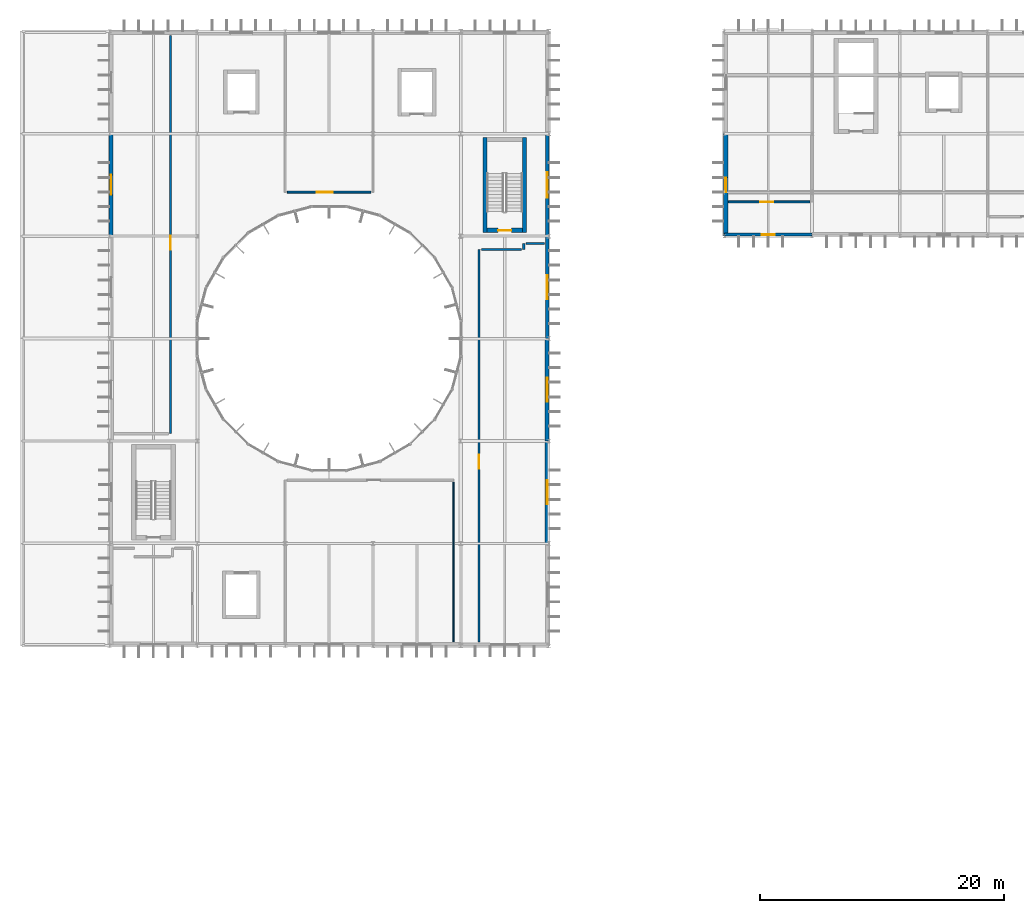
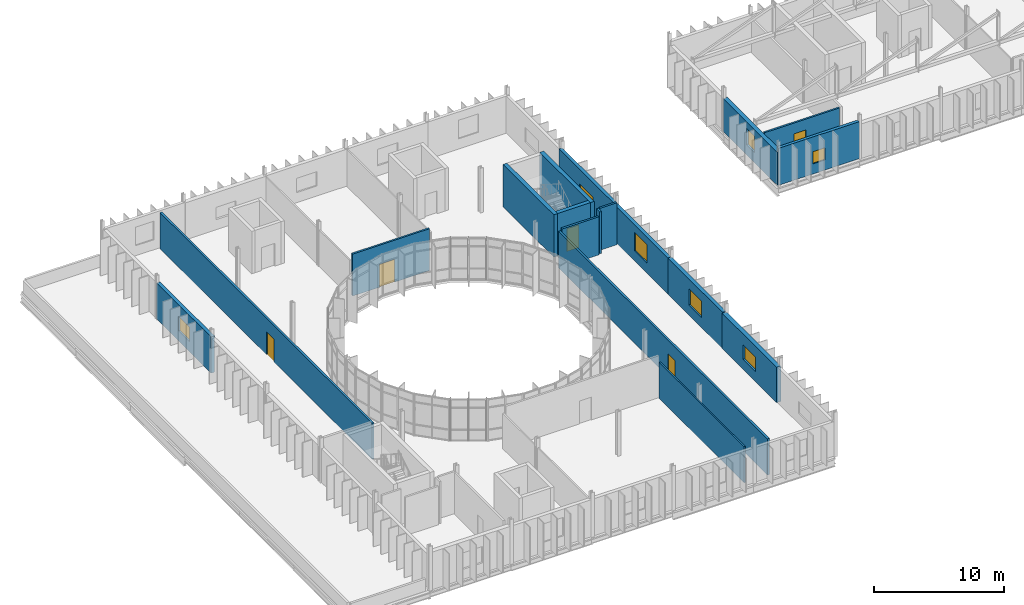
# One storey, part 38 of 52: 18 walls, 7 windows, 5 doors, 12 openings.
"""IFC4 building model written with IfcOpenShell, lengths in metres."""

import ifcopenshell
import ifcopenshell.guid

model = None  # the IFC model being written
_history = None  # IfcOwnerHistory: only IFC2X3 demands one
_inside = {}  # id of a spatial element -> (the spatial element, [elements in it])
_under = {}  # id of a project, library or spatial element -> (it, [spatial elements below it])
_declared = {}  # id of a project -> (the project, [libraries it declares])
_typed = {}  # id of a type object -> (the type object, [elements of that type])
_made_of = {}  # id of a material, layer set ... -> (it, [elements and type objects made of it])


def new_model(schema):
    """Start an empty IFC model of exactly this schema.

    Asked for "IFC4X3", IfcOpenShell would pick the latest addendum, in which some entities
    have other attributes; the version numbers below select the first issue.
    IFC2X3 requires an IfcOwnerHistory on every rooted entity: one is made here for all.
    """
    global model, _history
    if schema == "IFC4X3":
        model = ifcopenshell.file(schema_version=(4, 3, 0, 0))
    else:
        model = ifcopenshell.file(schema=schema)
    _inside.clear()
    _under.clear()
    _declared.clear()
    _typed.clear()
    _made_of.clear()
    _history = None
    if model.schema == "IFC2X3":
        org = make("IfcOrganization", Name="unknown")
        user = make(
            "IfcPersonAndOrganization",
            ThePerson=make("IfcPerson", FamilyName="unknown"),
            TheOrganization=org,
        )
        app = make(
            "IfcApplication",
            ApplicationDeveloper=org,
            Version="unknown",
            ApplicationFullName="unknown",
            ApplicationIdentifier="unknown",
        )
        _history = make(
            "IfcOwnerHistory",
            OwningUser=user,
            OwningApplication=app,
            ChangeAction="ADDED",
            CreationDate=0,
        )
    return model


def make(cls, **values):
    """One entity of the class cls with the attributes given. An attribute that is None is left unset."""
    return model.create_entity(
        cls, **{name: value for name, value in values.items() if value is not None}
    )


def rooted(cls, **values):
    """An entity with a GlobalId (a new one), such as an element, a storey or a relation."""
    return make(cls, GlobalId=ifcopenshell.guid.new(), OwnerHistory=_history, **values)


def si_unit(unit_type, name, prefix=None):
    """IfcSIUnit, for example si_unit("LENGTHUNIT", "METRE", prefix="MILLI")."""
    return make("IfcSIUnit", UnitType=unit_type, Prefix=prefix, Name=name)


def assignment(units):
    """IfcUnitAssignment: the units of a project."""
    return None if units is None else make("IfcUnitAssignment", Units=units)


def point(xyz):
    """IfcCartesianPoint."""
    return None if xyz is None else make("IfcCartesianPoint", Coordinates=xyz)


def direction(xyz):
    """IfcDirection."""
    return None if xyz is None else make("IfcDirection", DirectionRatios=xyz)


def frame(location, z_axis=None, x_axis=None):
    """IfcAxis2Placement3D, a coordinate frame: its origin and axes. An axis left out is left unset."""
    return make(
        "IfcAxis2Placement3D",
        Location=point(location),
        Axis=direction(z_axis),
        RefDirection=direction(x_axis),
    )


def frame_2d(location, x_axis=None):
    """IfcAxis2Placement2D, a coordinate frame in the plane: its origin and x axis."""
    return make(
        "IfcAxis2Placement2D", Location=point(location), RefDirection=direction(x_axis)
    )


def origin():
    """The frame at (0, 0, 0) with its axes left unset."""
    return frame((0.0, 0.0, 0.0))


def place(relative_to, where):
    """IfcLocalPlacement: puts the frame where relative to a parent placement (None: the world)."""
    return make(
        "IfcLocalPlacement", PlacementRelTo=relative_to, RelativePlacement=where
    )


def context(
    kind, dimensions, precision=None, world=None, true_north=None, identifier=None
):
    """IfcGeometricRepresentationContext, for example the 3D "Model" context."""
    return make(
        "IfcGeometricRepresentationContext",
        ContextIdentifier=identifier,
        ContextType=kind,
        CoordinateSpaceDimension=dimensions,
        Precision=precision,
        WorldCoordinateSystem=world,
        TrueNorth=true_north,
    )


def subcontext(parent, identifier, kind, view, scale=None):
    """IfcGeometricRepresentationSubContext, for example "Body" below "Model"."""
    return make(
        "IfcGeometricRepresentationSubContext",
        ContextIdentifier=identifier,
        ContextType=kind,
        ParentContext=parent,
        TargetScale=scale,
        TargetView=view,
    )


def project(units=None, contexts=None):
    """IfcProject with its units and contexts."""
    return rooted(
        "IfcProject",
        Name="project",
        RepresentationContexts=contexts,
        UnitsInContext=assignment(units),
    )


def spatial(cls, under=None, at=None, **own):
    """A site, building, storey or space (cls), placed at a placement, below another one or the project."""
    s = rooted(cls, ObjectPlacement=at, **own)
    if under is not None:
        _under.setdefault(under.id(), (under, []))[1].append(s)
    return s


def profile(cls, at=None, kind="AREA", **sizes):
    """A parametric profile (cls). Its sizes go by their IFC names, for example OverallWidth=200.0."""
    return make(cls, ProfileType=kind, Position=at, **sizes)


def rectangle(**sizes):
    """IfcRectangleProfileDef."""
    return profile("IfcRectangleProfileDef", **sizes)


def extrude(swept, where, along, depth):
    """IfcExtrudedAreaSolid: the profile swept, set in the frame where, extruded along a direction by depth."""
    return make(
        "IfcExtrudedAreaSolid",
        SweptArea=swept,
        Position=where,
        ExtrudedDirection=direction(along),
        Depth=depth,
    )


def shape(context_of_items, identifier, shape_type, items):
    """IfcShapeRepresentation: the items that make up one representation, for example the "Body"."""
    return make(
        "IfcShapeRepresentation",
        ContextOfItems=context_of_items,
        RepresentationIdentifier=identifier,
        RepresentationType=shape_type,
        Items=items,
    )


def material(Name=None, Category=None):
    """IfcMaterial."""
    return make("IfcMaterial", Name=Name, Category=Category)


def layer(
    of_material, thickness, ventilated=None, Name=None, Category=None, Priority=None
):
    """IfcMaterialLayer: one layer of a wall or slab, of a material (None: an air gap)."""
    return make(
        "IfcMaterialLayer",
        Material=of_material,
        LayerThickness=thickness,
        IsVentilated=ventilated,
        Name=Name,
        Category=Category,
        Priority=Priority,
    )


def layer_set(layers, Name=None):
    """IfcMaterialLayerSet."""
    return make("IfcMaterialLayerSet", MaterialLayers=layers, LayerSetName=Name)


def made_of(thing, what):
    """Note that an element or type object is made of a material, layer set ...; save() writes the relation."""
    if what is not None:
        _made_of.setdefault(what.id(), (what, []))[1].append(thing)
    return thing


def type_object(cls, material=None, **own):
    """A type object (cls), such as IfcWallType, which elements share."""
    return made_of(rooted(cls, **own), material)


def element(
    cls,
    number,
    at=None,
    inside=None,
    cuts=None,
    type_object=None,
    material=None,
    context=None,
    identifier="Body",
    shape_type=None,
    held_by="IfcProductDefinitionShape",
    body=None,
    shapes=None,
    **own,
):
    """One element of the class cls, such as IfcWall. Its Tag is "e" and its number.

    at: its placement. inside: the storey or other place that contains it. cuts: it is an
    opening in that element (IfcRelVoidsElement). A single representation is given by context,
    identifier, shape_type and body (its items); several are given by shapes. held_by: the class
    of the entity that holds the representations. save() writes the other relations.
    """
    e = rooted(cls, Tag="e%d" % number, ObjectPlacement=at, **own)
    if body is not None:
        shapes = [shape(context, identifier, shape_type, body)]
    if shapes is not None:
        e.Representation = make(held_by, Representations=shapes)
    if inside is not None:
        _inside.setdefault(inside.id(), (inside, []))[1].append(e)
    if cuts is not None:
        rooted(
            "IfcRelVoidsElement", RelatingBuildingElement=cuts, RelatedOpeningElement=e
        )
    if type_object is not None:
        _typed.setdefault(type_object.id(), (type_object, []))[1].append(e)
    return made_of(e, material)


def fill(opening, filler):
    """IfcRelFillsElement: the door or window that sits in an opening."""
    return rooted(
        "IfcRelFillsElement",
        RelatingOpeningElement=opening,
        RelatedBuildingElement=filler,
    )


def aggregate(whole, parts):
    """IfcRelAggregates: a whole, such as a stair, and the parts it consists of."""
    return rooted("IfcRelAggregates", RelatingObject=whole, RelatedObjects=parts)


def save(model, path):
    """Write the relations noted so far, then the file.

    IfcRelAggregates (storeys below a building ...), IfcRelContainedInSpatialStructure (elements
    in a storey), IfcRelDefinesByType, IfcRelAssociatesMaterial and IfcRelDeclares: one each for
    every whole, place, type object, material and project.
    """
    for whole, parts in _under.values():
        aggregate(whole, parts)
    for where, things in _inside.values():
        rooted(
            "IfcRelContainedInSpatialStructure",
            RelatedElements=things,
            RelatingStructure=where,
        )
    for kind, things in _typed.values():
        rooted("IfcRelDefinesByType", RelatedObjects=things, RelatingType=kind)
    for what, things in _made_of.values():
        rooted("IfcRelAssociatesMaterial", RelatedObjects=things, RelatingMaterial=what)
    for by, libraries in _declared.values():
        rooted("IfcRelDeclares", RelatingContext=by, RelatedDefinitions=libraries)
    model.write(path)


model = new_model("IFC4")

# Units and contexts
model_context = context("Model", 3, precision=1e-05, world=origin(), true_north=direction((0.0, 1.0)))
body_context = subcontext(model_context, "Body", "Model", "MODEL_VIEW")
ifc_project = project(units=[si_unit("LENGTHUNIT", "METRE"), si_unit("AREAUNIT", "SQUARE_METRE"), si_unit("VOLUMEUNIT", "CUBIC_METRE"), si_unit("PLANEANGLEUNIT", "RADIAN"), si_unit("MASSUNIT", "GRAM", prefix="KILO")], contexts=[model_context])

# Site, building, storey
site_placement = place(None, origin())
site = spatial("IfcSite", under=ifc_project, at=site_placement, CompositionType="ELEMENT")
building_placement = place(site_placement, origin())
building = spatial("IfcBuilding", under=site, at=building_placement, Name="Qelthora Terrace Specialist Clinic", CompositionType="ELEMENT")
storey_placement = place(building_placement, frame((0.0, 0.0, 17.39990234375)))
storey = spatial("IfcBuildingStorey", under=building, at=storey_placement, Name="L04", CompositionType="ELEMENT", Elevation=17.39990234375)

# Walls
ifc_material_1 = material(Name="Concrete C40/50", Category="concrete")
ifc_layer_1 = layer(ifc_material_1, 0.35009765625)
ifc_layer_set_1 = layer_set([ifc_layer_1], Name="Concrete C40/50")
wall_type_1 = type_object("IfcWallType", Name="WAL-CORE-350-C40", PredefinedType="SHEAR", material=ifc_layer_set_1)
for number, where, z_axis, x_axis, name in (
    (1, (37.97509765625, 92.699951171875, 0.0), (0.0, 0.0, 1.0), (0.0, 1.0, 0.0), "ST-02 L04 west shear core wall"),
    (2, (41.22509765625, 92.699951171875, 0.0), (0.0, 0.0, 1.0), (0.0, 1.0, 0.0), "ST-02 L04 east shear core wall"),
):
    element("IfcWall", number, at=place(storey_placement, frame(where, z_axis=z_axis, x_axis=x_axis)), inside=storey, type_object=wall_type_1, Name=name, PredefinedType="SHEAR", context=body_context, shape_type="SweptSolid", body=[
        extrude(rectangle(XDim=7.800048828125, YDim=0.35009765625, at=frame_2d((3.89990234375, 0.0))), origin(), (0.0, 0.0, 1.0), 3.989990234375),
    ])

# Wall, opening, door
wall_1_placement = place(storey_placement, frame((38.14990234375, 92.875, 0.0), z_axis=(0.0, 0.0, 1.0), x_axis=(1.0, 0.0, 0.0)))
wall_1 = element("IfcWall", 3, at=wall_1_placement, inside=storey, type_object=wall_type_1, Name="ST-02 L04 south shear core wall", PredefinedType="SHEAR", context=body_context, shape_type="SweptSolid", body=[
    extrude(rectangle(XDim=2.900146484375, YDim=0.35009765625, at=frame_2d((1.4501953125, 0.0))), origin(), (0.0, 0.0, 1.0), 3.989990234375),
])
opening_1_placement = place(wall_1_placement, frame((0.89990234375, 0.0, 0.0)))
opening_1 = element("IfcOpeningElement", 4, at=opening_1_placement, cuts=wall_1, Name="Opening D-ST-02-L04", PredefinedType="OPENING", context=body_context, shape_type="SweptSolid", body=[
    extrude(rectangle(XDim=1.10009765625, YDim=2.14990234375, at=frame_2d((0.550048828125, 1.074951171875))), frame((0.0, 0.18505859375, 0.0), z_axis=(0.0, -1.0, 0.0), x_axis=(1.0, 0.0, 0.0)), (0.0, 0.0, 1.0), 0.3701171875),
])
ifc_material_2 = material(Name="Steel S355", Category="steel")
door_type_1 = type_object("IfcDoorType", Name="DOR-STAIR-1100X2150", OperationType="NOTDEFINED", PredefinedType="DOOR", material=ifc_material_2)
door_1_placement = place(opening_1_placement, origin())
door_1 = element("IfcDoor", 5, at=door_1_placement, inside=storey, type_object=door_type_1, Name="Stair fire door D-ST-02-L04", OperationType="SINGLE_SWING_RIGHT", OverallHeight=2.14990234375, OverallWidth=1.10009765625, PredefinedType="DOOR", context=body_context, shape_type="SweptSolid", body=[
    extrude(rectangle(XDim=1.10009765625, YDim=2.14990234375, at=frame_2d((0.550048828125, 1.074951171875))), frame((0.0, 0.02490234375, 0.0), z_axis=(0.0, -1.0, 0.0), x_axis=(1.0, 0.0, 0.0)), (0.0, 0.0, 1.0), 0.050048828125),
])
fill(opening_1, door_1)

# Wall, opening, window
ifc_material_3 = material(Name="Precast concrete C40/50", Category="concrete")
ifc_layer_2 = layer(ifc_material_3, 0.260009765625)
ifc_layer_set_2 = layer_set([ifc_layer_2], Name="Precast concrete C40/50")
wall_type_2 = type_object("IfcWallType", Name="WAL-EXT-260-PC40", PredefinedType="SOLIDWALL", material=ifc_layer_set_2)
wall_2_placement = place(storey_placement, frame((57.60009765625, 92.52001953125, 0.0), z_axis=(0.0, 0.0, 1.0), x_axis=(1.0, 0.0, 0.0)))
wall_2 = element("IfcWall", 6, at=wall_2_placement, inside=storey, type_object=wall_type_2, Name="L04 external precast wall 364", PredefinedType="SOLIDWALL", context=body_context, shape_type="SweptSolid", body=[
    extrude(rectangle(XDim=7.199951171875, YDim=0.260009765625, at=frame_2d((3.60009765625, 0.0))), origin(), (0.0, 0.0, 1.0), 3.482177734375),
])
opening_2_placement = place(wall_2_placement, frame((3.074951171875, 0.0, 0.949951171875)))
opening_2 = element("IfcOpeningElement", 7, at=opening_2_placement, cuts=wall_2, Name="Opening WN-L04-321", PredefinedType="OPENING", context=body_context, shape_type="SweptSolid", body=[
    extrude(rectangle(XDim=1.050048828125, YDim=1.14990234375, at=frame_2d((0.52490234375, 0.574951171875))), frame((0.0, 0.139892578125, 0.0), z_axis=(0.0, -1.0, 0.0), x_axis=(1.0, 0.0, 0.0)), (0.0, 0.0, 1.0), 0.280029296875),
])
ifc_material_4 = material(Name="Low-E triple-silver insulating glass", Category="glass")
window_type_1 = type_object("IfcWindowType", Name="WIN-1050X1150", PartitioningType="SINGLE_PANEL", PredefinedType="WINDOW", material=ifc_material_4)
window_1_placement = place(opening_2_placement, origin())
window_1 = element("IfcWindow", 8, at=window_1_placement, inside=storey, type_object=window_type_1, Name="Clinical window WN-L04-321", OverallHeight=1.14990234375, OverallWidth=1.050048828125, PartitioningType="SINGLE_PANEL", PredefinedType="WINDOW", context=body_context, shape_type="SweptSolid", body=[
    extrude(rectangle(XDim=1.050048828125, YDim=1.14990234375, at=frame_2d((0.52490234375, 0.574951171875))), frame((0.0, 0.030029296875, 0.0), z_axis=(0.0, -1.0, 0.0), x_axis=(1.0, 0.0, 0.0)), (0.0, 0.0, 1.0), 0.06005859375),
])
fill(opening_2, window_1)

ifc_layer_3 = layer(ifc_material_3, 0.280029296875)
ifc_layer_set_3 = layer_set([ifc_layer_3], Name="Precast concrete C40/50")
wall_type_3 = type_object("IfcWallType", Name="WAL-EXT-280-PC40", PredefinedType="SOLIDWALL", material=ifc_layer_set_3)
wall_3_placement = place(storey_placement, frame((43.080078125, 92.39990234375, 0.0), z_axis=(0.0, 0.0, 1.0), x_axis=(0.0, 1.0, 0.0)))
wall_3 = element("IfcWall", 9, at=wall_3_placement, inside=storey, type_object=wall_type_3, Name="L04 external precast wall 393", PredefinedType="SOLIDWALL", context=body_context, shape_type="SweptSolid", body=[
    extrude(rectangle(XDim=8.400146484375, YDim=0.280029296875, at=frame_2d((4.2001953125, 0.0))), origin(), (0.0, 0.0, 1.0), 3.47607421875),
])
opening_3_placement = place(wall_3_placement, frame((3.14990234375, 0.0, 0.949951171875)))
opening_3 = element("IfcOpeningElement", 10, at=opening_3_placement, cuts=wall_3, Name="Opening WN-L04-349", PredefinedType="OPENING", context=body_context, shape_type="SweptSolid", body=[
    extrude(rectangle(XDim=2.10009765625, YDim=1.14990234375, at=frame_2d((1.050048828125, 0.574951171875))), frame((0.0, 0.14990234375, 0.0), z_axis=(0.0, -1.0, 0.0), x_axis=(1.0, 0.0, 0.0)), (0.0, 0.0, 1.0), 0.300048828125),
])
window_type_2 = type_object("IfcWindowType", Name="WIN-2100X1150", PartitioningType="DOUBLE_PANEL_VERTICAL", PredefinedType="WINDOW", material=ifc_material_4)
window_2_placement = place(opening_3_placement, origin())
window_2 = element("IfcWindow", 11, at=window_2_placement, inside=storey, type_object=window_type_2, Name="Clinical window WN-L04-349", OverallHeight=1.14990234375, OverallWidth=2.10009765625, PartitioningType="SINGLE_PANEL", PredefinedType="WINDOW", context=body_context, shape_type="SweptSolid", body=[
    extrude(rectangle(XDim=2.10009765625, YDim=1.14990234375, at=frame_2d((1.050048828125, 0.574951171875))), frame((0.0, 0.030029296875, 0.0), z_axis=(0.0, -1.0, 0.0), x_axis=(1.0, 0.0, 0.0)), (0.0, 0.0, 1.0), 0.06005859375),
])
fill(opening_3, window_2)

ifc_layer_4 = layer(ifc_material_3, 0.300048828125)
ifc_layer_set_4 = layer_set([ifc_layer_4], Name="Precast concrete C40/50")
wall_type_4 = type_object("IfcWallType", Name="WAL-EXT-300-PC40", PredefinedType="SOLIDWALL", material=ifc_layer_set_4)
wall_4_placement = place(storey_placement, frame((7.320068359375, 92.39990234375, 0.0), z_axis=(0.0, 0.0, 1.0), x_axis=(0.0, 1.0, 0.0)))
wall_4 = element("IfcWall", 12, at=wall_4_placement, inside=storey, type_object=wall_type_4, Name="L04 external precast wall 382", PredefinedType="SOLIDWALL", context=body_context, shape_type="SweptSolid", body=[
    extrude(rectangle(XDim=8.400146484375, YDim=0.300048828125, at=frame_2d((4.2001953125, 0.0))), origin(), (0.0, 0.0, 1.0), 3.398193359375),
])
opening_4_placement = place(wall_4_placement, frame((3.375, 0.0, 0.949951171875)))
opening_4 = element("IfcOpeningElement", 13, at=opening_4_placement, cuts=wall_4, Name="Opening WN-L04-338", PredefinedType="OPENING", context=body_context, shape_type="SweptSolid", body=[
    extrude(rectangle(XDim=1.64990234375, YDim=1.35009765625, at=frame_2d((0.824951171875, 0.675048828125))), frame((0.0, 0.159912109375, 0.0), z_axis=(0.0, -1.0, 0.0), x_axis=(1.0, 0.0, 0.0)), (0.0, 0.0, 1.0), 0.320068359375),
])
window_type_3 = type_object("IfcWindowType", Name="WIN-1650X1350", PartitioningType="DOUBLE_PANEL_VERTICAL", PredefinedType="WINDOW", material=ifc_material_4)
window_3_placement = place(opening_4_placement, origin())
window_3 = element("IfcWindow", 14, at=window_3_placement, inside=storey, type_object=window_type_3, Name="Clinical window WN-L04-338", OverallHeight=1.35009765625, OverallWidth=1.64990234375, PartitioningType="SINGLE_PANEL", PredefinedType="WINDOW", context=body_context, shape_type="SweptSolid", body=[
    extrude(rectangle(XDim=1.64990234375, YDim=1.35009765625, at=frame_2d((0.824951171875, 0.675048828125))), frame((0.0, 0.030029296875, 0.0), z_axis=(0.0, -1.0, 0.0), x_axis=(1.0, 0.0, 0.0)), (0.0, 0.0, 1.0), 0.06005859375),
])
fill(opening_4, window_3)

wall_5_placement = place(storey_placement, frame((43.080078125, 84.0, 0.0), z_axis=(0.0, 0.0, 1.0), x_axis=(0.0, 1.0, 0.0)))
wall_5 = element("IfcWall", 15, at=wall_5_placement, inside=storey, type_object=wall_type_4, Name="L04 external precast wall 392", PredefinedType="SOLIDWALL", context=body_context, shape_type="SweptSolid", body=[
    extrude(rectangle(XDim=8.39990234375, YDim=0.300048828125, at=frame_2d((4.199951171875, 0.0))), origin(), (0.0, 0.0, 1.0), 3.405029296875),
])
opening_5_placement = place(wall_5_placement, frame((3.22509765625, 0.0, 0.949951171875)))
opening_5 = element("IfcOpeningElement", 16, at=opening_5_placement, cuts=wall_5, Name="Opening WN-L04-348", PredefinedType="OPENING", context=body_context, shape_type="SweptSolid", body=[
    extrude(rectangle(XDim=1.949951171875, YDim=1.75, at=frame_2d((0.97509765625, 0.875))), frame((0.0, 0.159912109375, 0.0), z_axis=(0.0, -1.0, 0.0), x_axis=(1.0, 0.0, 0.0)), (0.0, 0.0, 1.0), 0.320068359375),
])
window_type_4 = type_object("IfcWindowType", Name="WIN-1950X1750", PartitioningType="DOUBLE_PANEL_VERTICAL", PredefinedType="WINDOW", material=ifc_material_4)
window_4_placement = place(opening_5_placement, origin())
window_4 = element("IfcWindow", 17, at=window_4_placement, inside=storey, type_object=window_type_4, Name="Clinical window WN-L04-348", OverallHeight=1.75, OverallWidth=1.949951171875, PartitioningType="SINGLE_PANEL", PredefinedType="WINDOW", context=body_context, shape_type="SweptSolid", body=[
    extrude(rectangle(XDim=1.949951171875, YDim=1.75, at=frame_2d((0.97509765625, 0.875))), frame((0.0, 0.030029296875, 0.0), z_axis=(0.0, -1.0, 0.0), x_axis=(1.0, 0.0, 0.0)), (0.0, 0.0, 1.0), 0.06005859375),
])
fill(opening_5, window_4)

ifc_layer_5 = layer(ifc_material_3, 0.320068359375)
ifc_layer_set_5 = layer_set([ifc_layer_5], Name="Precast concrete C40/50")
wall_type_5 = type_object("IfcWallType", Name="WAL-EXT-320-PC40", PredefinedType="SOLIDWALL", material=ifc_layer_set_5)
wall_6_placement = place(storey_placement, frame((43.080078125, 75.60009765625, 0.0), z_axis=(0.0, 0.0, 1.0), x_axis=(0.0, 1.0, 0.0)))
wall_6 = element("IfcWall", 18, at=wall_6_placement, inside=storey, type_object=wall_type_5, Name="L04 external precast wall 391", PredefinedType="SOLIDWALL", context=body_context, shape_type="SweptSolid", body=[
    extrude(rectangle(XDim=8.39990234375, YDim=0.320068359375, at=frame_2d((4.199951171875, 0.0))), origin(), (0.0, 0.0, 1.0), 3.398193359375),
])
opening_6_placement = place(wall_6_placement, frame((3.22509765625, 0.0, 0.949951171875)))
opening_6 = element("IfcOpeningElement", 19, at=opening_6_placement, cuts=wall_6, Name="Opening WN-L04-347", PredefinedType="OPENING", context=body_context, shape_type="SweptSolid", body=[
    extrude(rectangle(XDim=1.949951171875, YDim=1.550048828125, at=frame_2d((0.97509765625, 0.77490234375))), frame((0.0, 0.169921875, 0.0), z_axis=(0.0, -1.0, 0.0), x_axis=(1.0, 0.0, 0.0)), (0.0, 0.0, 1.0), 0.340087890625),
])
window_type_5 = type_object("IfcWindowType", Name="WIN-1950X1550", PartitioningType="DOUBLE_PANEL_VERTICAL", PredefinedType="WINDOW", material=ifc_material_4)
window_5_placement = place(opening_6_placement, origin())
window_5 = element("IfcWindow", 20, at=window_5_placement, inside=storey, type_object=window_type_5, Name="Clinical window WN-L04-347", OverallHeight=1.550048828125, OverallWidth=1.949951171875, PartitioningType="SINGLE_PANEL", PredefinedType="WINDOW", context=body_context, shape_type="SweptSolid", body=[
    extrude(rectangle(XDim=1.949951171875, YDim=1.550048828125, at=frame_2d((0.97509765625, 0.77490234375))), frame((0.0, 0.030029296875, 0.0), z_axis=(0.0, -1.0, 0.0), x_axis=(1.0, 0.0, 0.0)), (0.0, 0.0, 1.0), 0.06005859375),
])
fill(opening_6, window_5)

ifc_layer_6 = layer(ifc_material_3, 0.3798828125)
ifc_layer_set_6 = layer_set([ifc_layer_6], Name="Precast concrete C40/50")
wall_type_6 = type_object("IfcWallType", Name="WAL-EXT-380-PC40", PredefinedType="SOLIDWALL", material=ifc_layer_set_6)
wall_7_placement = place(storey_placement, frame((57.719970703125, 92.39990234375, 0.0), z_axis=(0.0, 0.0, 1.0), x_axis=(0.0, 1.0, 0.0)))
wall_7 = element("IfcWall", 21, at=wall_7_placement, inside=storey, type_object=wall_type_6, Name="L04 external precast wall 370", PredefinedType="SOLIDWALL", context=body_context, shape_type="SweptSolid", body=[
    extrude(rectangle(XDim=8.400146484375, YDim=0.3798828125, at=frame_2d((4.2001953125, 0.0))), origin(), (0.0, 0.0, 1.0), 3.091064453125),
])
opening_7_placement = place(wall_7_placement, frame((3.60009765625, 0.0, 0.949951171875)))
opening_7 = element("IfcOpeningElement", 22, at=opening_7_placement, cuts=wall_7, Name="Opening WN-L04-327", PredefinedType="OPENING", context=body_context, shape_type="SweptSolid", body=[
    extrude(rectangle(XDim=1.199951171875, YDim=1.550048828125, at=frame_2d((0.60009765625, 0.77490234375))), frame((0.0, 0.199951171875, 0.0), z_axis=(0.0, -1.0, 0.0), x_axis=(1.0, 0.0, 0.0)), (0.0, 0.0, 1.0), 0.39990234375),
])
window_type_6 = type_object("IfcWindowType", Name="WIN-1200X1550", PartitioningType="SINGLE_PANEL", PredefinedType="WINDOW", material=ifc_material_4)
window_6_placement = place(opening_7_placement, origin())
window_6 = element("IfcWindow", 23, at=window_6_placement, inside=storey, type_object=window_type_6, Name="Clinical window WN-L04-327", OverallHeight=1.550048828125, OverallWidth=1.199951171875, PartitioningType="SINGLE_PANEL", PredefinedType="WINDOW", context=body_context, shape_type="SweptSolid", body=[
    extrude(rectangle(XDim=1.199951171875, YDim=1.550048828125, at=frame_2d((0.60009765625, 0.77490234375))), frame((0.0, 0.030029296875, 0.0), z_axis=(0.0, -1.0, 0.0), x_axis=(1.0, 0.0, 0.0)), (0.0, 0.0, 1.0), 0.06005859375),
])
fill(opening_7, window_6)

wall_8_placement = place(storey_placement, frame((43.080078125, 67.199951171875, 0.0), z_axis=(0.0, 0.0, 1.0), x_axis=(0.0, 1.0, 0.0)))
wall_8 = element("IfcWall", 24, at=wall_8_placement, inside=storey, type_object=wall_type_6, Name="L04 external precast wall 390", PredefinedType="SOLIDWALL", context=body_context, shape_type="SweptSolid", body=[
    extrude(rectangle(XDim=8.400146484375, YDim=0.3798828125, at=frame_2d((4.2001953125, 0.0))), origin(), (0.0, 0.0, 1.0), 3.3251953125),
])
opening_8_placement = place(wall_8_placement, frame((3.22509765625, 0.0, 0.949951171875)))
opening_8 = element("IfcOpeningElement", 25, at=opening_8_placement, cuts=wall_8, Name="Opening WN-L04-346", PredefinedType="OPENING", context=body_context, shape_type="SweptSolid", body=[
    extrude(rectangle(XDim=1.949951171875, YDim=1.35009765625, at=frame_2d((0.97509765625, 0.675048828125))), frame((0.0, 0.199951171875, 0.0), z_axis=(0.0, -1.0, 0.0), x_axis=(1.0, 0.0, 0.0)), (0.0, 0.0, 1.0), 0.39990234375),
])
window_type_7 = type_object("IfcWindowType", Name="WIN-1950X1350", PartitioningType="DOUBLE_PANEL_VERTICAL", PredefinedType="WINDOW", material=ifc_material_4)
window_7_placement = place(opening_8_placement, origin())
window_7 = element("IfcWindow", 26, at=window_7_placement, inside=storey, type_object=window_type_7, Name="Clinical window WN-L04-346", OverallHeight=1.35009765625, OverallWidth=1.949951171875, PartitioningType="SINGLE_PANEL", PredefinedType="WINDOW", context=body_context, shape_type="SweptSolid", body=[
    extrude(rectangle(XDim=1.949951171875, YDim=1.35009765625, at=frame_2d((0.97509765625, 0.675048828125))), frame((0.0, 0.030029296875, 0.0), z_axis=(0.0, -1.0, 0.0), x_axis=(1.0, 0.0, 0.0)), (0.0, 0.0, 1.0), 0.06005859375),
])
fill(opening_8, window_7)

# Wall, opening, door
ifc_material_5 = material(Name="Gypsum fire-rated wallboard", Category="gypsum")
ifc_layer_7 = layer(ifc_material_5, 0.179931640625)
ifc_layer_set_7 = layer_set([ifc_layer_7], Name="Gypsum fire-rated wallboard")
wall_type_7 = type_object("IfcWallType", Name="WAL-INT-CLN-180", PredefinedType="PARTITIONING", material=ifc_layer_set_7)
wall_9_placement = place(storey_placement, frame((12.199951171875, 108.860107421875, 0.0), z_axis=(0.0, 0.0, 1.0), x_axis=(0.0, -1.0, 0.0)))
wall_9 = element("IfcWall", 27, at=wall_9_placement, inside=storey, type_object=wall_type_7, Name="Interior clinical partition IWAL-L04-0368", PredefinedType="PARTITIONING", context=body_context, shape_type="SweptSolid", body=[
    extrude(rectangle(XDim=32.66015625, YDim=0.179931640625, at=frame_2d((16.330078125, 0.0))), origin(), (0.0, 0.0, 1.0), 3.401123046875),
])
opening_9_placement = place(wall_9_placement, frame((16.425048828125, 0.0, 0.0)))
opening_9 = element("IfcOpeningElement", 28, at=opening_9_placement, cuts=wall_9, Name="Opening DI-L04-0149", PredefinedType="OPENING", context=body_context, shape_type="SweptSolid", body=[
    extrude(rectangle(XDim=1.14990234375, YDim=2.14990234375, at=frame_2d((0.574951171875, 1.074951171875))), frame((0.0, 0.099853515625, 0.0), z_axis=(0.0, -1.0, 0.0), x_axis=(1.0, 0.0, 0.0)), (0.0, 0.0, 1.0), 0.199951171875),
])
ifc_material_6 = material(Name="Aluminium anodized bronze", Category="aluminium")
door_type_2 = type_object("IfcDoorType", Name="DOR-CLN-1150X2150", OperationType="NOTDEFINED", PredefinedType="DOOR", material=ifc_material_6)
door_2_placement = place(opening_9_placement, frame((1.14990234375, 0.0, 0.0), z_axis=(0.0, 0.0, 1.0), x_axis=(-1.0, 0.0, 0.0)))
door_2 = element("IfcDoor", 29, at=door_2_placement, inside=storey, type_object=door_type_2, Name="Interior clinical door DI-L04-0149", OperationType="SINGLE_SWING_RIGHT", OverallHeight=2.14990234375, OverallWidth=1.14990234375, PredefinedType="DOOR", context=body_context, shape_type="SweptSolid", body=[
    extrude(rectangle(XDim=1.14990234375, YDim=2.14990234375, at=frame_2d((0.574951171875, 1.074951171875))), frame((0.0, 0.02490234375, 0.0), z_axis=(0.0, -1.0, 0.0), x_axis=(1.0, 0.0, 0.0)), (0.0, 0.0, 1.0), 0.050048828125),
])
fill(opening_9, door_2)

# Walls
wall_10_placement = place(storey_placement, frame((41.159912109375, 91.31494140625, 0.0), z_axis=(0.0, 0.0, 1.0), x_axis=(0.0, 1.0, 0.0)))
element("IfcWall", 30, at=wall_10_placement, inside=storey, type_object=wall_type_7, Name="Interior clinical partition IWAL-L04-0370", PredefinedType="PARTITIONING", context=body_context, shape_type="SweptSolid", body=[
    extrude(rectangle(XDim=0.485107421875, YDim=0.179931640625, at=frame_2d((0.24267578125, 0.0))), origin(), (0.0, 0.0, 1.0), 3.945068359375),
])
wall_11_placement = place(storey_placement, frame((41.340087890625, 91.800048828125, 0.0), z_axis=(0.0, 0.0, 1.0), x_axis=(1.0, 0.0, 0.0)))
element("IfcWall", 31, at=wall_11_placement, inside=storey, type_object=wall_type_7, Name="Interior clinical partition IWAL-L04-0371", PredefinedType="PARTITIONING", context=body_context, shape_type="SweptSolid", body=[
    extrude(rectangle(XDim=1.52001953125, YDim=0.179931640625, at=frame_2d((0.760009765625, 0.0))), origin(), (0.0, 0.0, 1.0), 3.945068359375),
])

# Wall, opening, door
wall_12_placement = place(storey_placement, frame((37.5, 59.139892578125, 0.0), z_axis=(0.0, 0.0, 1.0), x_axis=(0.0, 1.0, 0.0)))
wall_12 = element("IfcWall", 32, at=wall_12_placement, inside=storey, type_object=wall_type_7, Name="Interior clinical partition IWAL-L04-0372", PredefinedType="PARTITIONING", context=body_context, shape_type="SweptSolid", body=[
    extrude(rectangle(XDim=32.175048828125, YDim=0.179931640625, at=frame_2d((16.08740234375, 0.0))), origin(), (0.0, 0.0, 1.0), 3.408203125),
])
opening_10_placement = place(wall_12_placement, frame((14.1826171875, 0.0, 0.0)))
opening_10 = element("IfcOpeningElement", 33, at=opening_10_placement, cuts=wall_12, Name="Opening DI-L04-0150", PredefinedType="OPENING", context=body_context, shape_type="SweptSolid", body=[
    extrude(rectangle(XDim=1.14990234375, YDim=2.14990234375, at=frame_2d((0.574951171875, 1.074951171875))), frame((0.0, 0.099853515625, 0.0), z_axis=(0.0, -1.0, 0.0), x_axis=(1.0, 0.0, 0.0)), (0.0, 0.0, 1.0), 0.199951171875),
])
door_3_placement = place(opening_10_placement, frame((1.14990234375, 0.0, 0.0), z_axis=(0.0, 0.0, 1.0), x_axis=(-1.0, 0.0, 0.0)))
door_3 = element("IfcDoor", 34, at=door_3_placement, inside=storey, type_object=door_type_2, Name="Interior clinical door DI-L04-0150", OperationType="SINGLE_SWING_LEFT", OverallHeight=2.14990234375, OverallWidth=1.14990234375, PredefinedType="DOOR", context=body_context, shape_type="SweptSolid", body=[
    extrude(rectangle(XDim=1.14990234375, YDim=2.14990234375, at=frame_2d((0.574951171875, 1.074951171875))), frame((0.0, 0.02490234375, 0.0), z_axis=(0.0, -1.0, 0.0), x_axis=(1.0, 0.0, 0.0)), (0.0, 0.0, 1.0), 0.050048828125),
])
fill(opening_10, door_3)

# Wall
wall_13_placement = place(storey_placement, frame((37.679931640625, 91.31494140625, 0.0), z_axis=(0.0, 0.0, 1.0), x_axis=(1.0, 0.0, 0.0)))
element("IfcWall", 35, at=wall_13_placement, inside=storey, type_object=wall_type_7, Name="Interior clinical partition IWAL-L04-0373", PredefinedType="PARTITIONING", context=body_context, shape_type="SweptSolid", body=[
    extrude(rectangle(XDim=3.300048828125, YDim=0.179931640625, at=frame_2d((1.64990234375, 0.0))), origin(), (0.0, 0.0, 1.0), 3.587158203125),
])

# Wall, opening, door
ifc_layer_8 = layer(ifc_material_5, 0.159912109375)
ifc_layer_set_8 = layer_set([ifc_layer_8], Name="Gypsum fire-rated wallboard")
wall_type_8 = type_object("IfcWallType", Name="WAL-INT-COR-160", PredefinedType="PARTITIONING", material=ifc_layer_set_8)
wall_14_placement = place(storey_placement, frame((28.6201171875, 96.0, 0.0), z_axis=(0.0, 0.0, 1.0), x_axis=(-1.0, 0.0, 0.0)))
wall_14 = element("IfcWall", 36, at=wall_14_placement, inside=storey, type_object=wall_type_8, Name="Interior clinical partition IWAL-L04-0376", PredefinedType="PARTITIONING", context=body_context, shape_type="SweptSolid", body=[
    extrude(rectangle(XDim=6.840087890625, YDim=0.159912109375, at=frame_2d((3.419921875, 0.0))), origin(), (0.0, 0.0, 1.0), 3.945068359375),
])
opening_11_placement = place(wall_14_placement, frame((3.10498046875, 0.0, 0.0)))
opening_11 = element("IfcOpeningElement", 37, at=opening_11_placement, cuts=wall_14, Name="Opening DI-L04-0151", PredefinedType="OPENING", context=body_context, shape_type="SweptSolid", body=[
    extrude(rectangle(XDim=1.35009765625, YDim=2.14990234375, at=frame_2d((0.675048828125, 1.074951171875))), frame((0.0, 0.08984375, 0.0), z_axis=(0.0, -1.0, 0.0), x_axis=(1.0, 0.0, 0.0)), (0.0, 0.0, 1.0), 0.179931640625),
])
door_type_3 = type_object("IfcDoorType", Name="DOR-IMG-1350X2150", OperationType="NOTDEFINED", PredefinedType="DOOR", material=ifc_material_2)
door_4_placement = place(opening_11_placement, frame((1.35009765625, 0.0, 0.0), z_axis=(0.0, 0.0, 1.0), x_axis=(-1.0, 0.0, 0.0)))
door_4 = element("IfcDoor", 38, at=door_4_placement, inside=storey, type_object=door_type_3, Name="Interior clinical door DI-L04-0151", OperationType="SINGLE_SWING_RIGHT", OverallHeight=2.14990234375, OverallWidth=1.35009765625, PredefinedType="DOOR", context=body_context, shape_type="SweptSolid", body=[
    extrude(rectangle(XDim=1.35009765625, YDim=2.14990234375, at=frame_2d((0.675048828125, 1.074951171875))), frame((0.0, 0.02490234375, 0.0), z_axis=(0.0, -1.0, 0.0), x_axis=(1.0, 0.0, 0.0)), (0.0, 0.0, 1.0), 0.050048828125),
])
fill(opening_11, door_4)

wall_15_placement = place(storey_placement, frame((64.6201171875, 95.199951171875, 0.0), z_axis=(0.0, 0.0, 1.0), x_axis=(-1.0, 0.0, 0.0)))
wall_15 = element("IfcWall", 39, at=wall_15_placement, inside=storey, type_object=wall_type_8, Name="Interior clinical partition IWAL-L04-0389", PredefinedType="PARTITIONING", context=body_context, shape_type="SweptSolid", body=[
    extrude(rectangle(XDim=6.68017578125, YDim=0.159912109375, at=frame_2d((3.340087890625, 0.0))), origin(), (0.0, 0.0, 1.0), 3.175048828125),
])
opening_12_placement = place(wall_15_placement, frame((3.0, 0.0, 0.0)))
opening_12 = element("IfcOpeningElement", 40, at=opening_12_placement, cuts=wall_15, Name="Opening DI-L04-0156", PredefinedType="OPENING", context=body_context, shape_type="SweptSolid", body=[
    extrude(rectangle(XDim=1.080078125, YDim=2.14990234375, at=frame_2d((0.5400390625, 1.074951171875))), frame((0.0, 0.08984375, 0.0), z_axis=(0.0, -1.0, 0.0), x_axis=(1.0, 0.0, 0.0)), (0.0, 0.0, 1.0), 0.179931640625),
])
ifc_material_7 = material(Name="Glulam timber GL28h", Category="wood")
door_type_4 = type_object("IfcDoorType", Name="DOR-CON-1080X2150", OperationType="NOTDEFINED", PredefinedType="DOOR", material=ifc_material_7)
door_5_placement = place(opening_12_placement, frame((1.080078125, 0.0, 0.0), z_axis=(0.0, 0.0, 1.0), x_axis=(-1.0, 0.0, 0.0)))
door_5 = element("IfcDoor", 41, at=door_5_placement, inside=storey, type_object=door_type_4, Name="Interior clinical door DI-L04-0156", OperationType="SINGLE_SWING_LEFT", OverallHeight=2.14990234375, OverallWidth=1.080078125, PredefinedType="DOOR", context=body_context, shape_type="SweptSolid", body=[
    extrude(rectangle(XDim=1.080078125, YDim=2.14990234375, at=frame_2d((0.5400390625, 1.074951171875))), frame((0.0, 0.02490234375, 0.0), z_axis=(0.0, -1.0, 0.0), x_axis=(1.0, 0.0, 0.0)), (0.0, 0.0, 1.0), 0.050048828125),
])
fill(opening_12, door_5)

# Wall
ifc_layer_9 = layer(ifc_material_4, 0.110107421875)
ifc_layer_set_9 = layer_set([ifc_layer_9], Name="Low-E triple-silver insulating glass")
wall_type_9 = type_object("IfcWallType", Name="WAL-INT-GLA-110", PredefinedType="MOVABLE", material=ifc_layer_set_9)
wall_16_placement = place(storey_placement, frame((35.39990234375, 72.219970703125, 0.0), z_axis=(0.0, 0.0, 1.0), x_axis=(0.0, -1.0, 0.0)))
element("IfcWall", 42, at=wall_16_placement, inside=storey, type_object=wall_type_9, Name="Interior clinical partition IWAL-L04-0392", PredefinedType="MOVABLE", context=body_context, shape_type="SweptSolid", body=[
    extrude(rectangle(XDim=13.080078125, YDim=0.110107421875, at=frame_2d((6.5400390625, 0.0))), origin(), (0.0, 0.0, 1.0), 3.401123046875),
])

save(model, "model.ifc")
